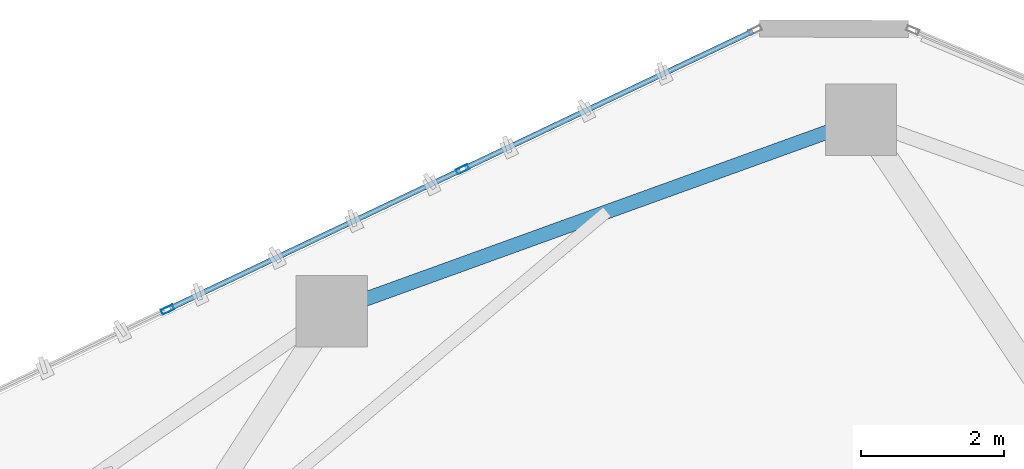
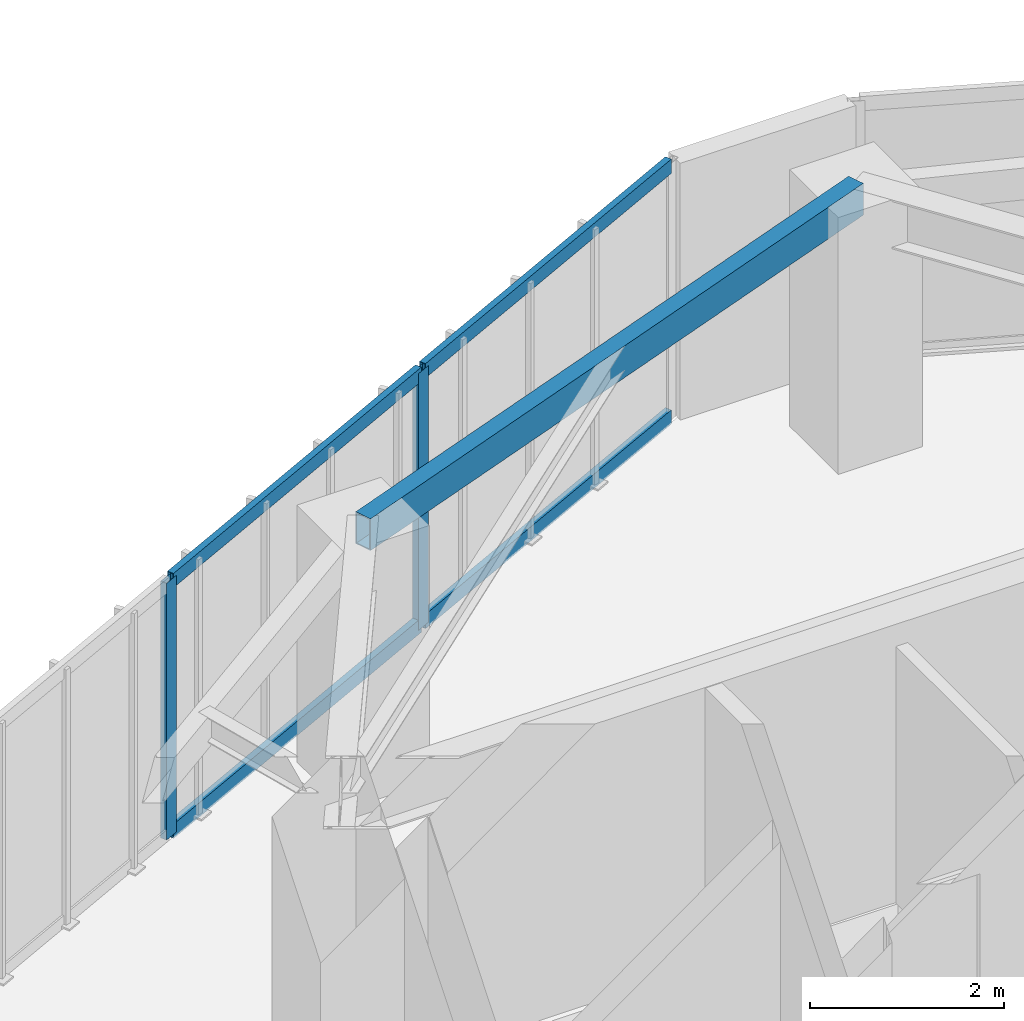
# One storey, part 12 of 18: 6 members, 1 beam, 1 element without a shape of its own.
"""IFC4 building model written with IfcOpenShell, lengths in metres."""

from ifc_helpers import new_model, si_unit, direction, frame, origin, origin_2d, place, context, subcontext, project, spatial, hollow_rectangle, extrude, source, transform, mapped, material, layer, layer_set, material_profile, profile_set, type_object, type_shapes, element, aggregate, save


model = new_model("IFC4")

# Units and contexts
model_context = context("Model", 3, precision=1e-05, world=origin(), true_north=direction((0.0, 1.0)))
body_context = subcontext(model_context, "Body", "Model", "MODEL_VIEW")
ifc_project = project(units=[si_unit("LENGTHUNIT", "METRE"), si_unit("AREAUNIT", "SQUARE_METRE"), si_unit("VOLUMEUNIT", "CUBIC_METRE"), si_unit("PLANEANGLEUNIT", "RADIAN"), si_unit("MASSUNIT", "GRAM", prefix="KILO")], contexts=[model_context])

# Site, building, storey
site_placement = place(None, origin())
site = spatial("IfcSite", under=ifc_project, at=site_placement, CompositionType="ELEMENT")
building_placement = place(site_placement, origin())
building = spatial("IfcBuilding", under=site, at=building_placement, Name="Talar Marvaseh", CompositionType="ELEMENT")
storey_placement = place(building_placement, frame((0.0, 0.0, 167.0)))
storey = spatial("IfcBuildingStorey", under=building, at=storey_placement, Name="L43", CompositionType="ELEMENT", Elevation=167.0)

# Beam
ifc_material_1 = material(Name="Steel S355", Category="steel")
ifc_material_profile_1 = material_profile(ifc_material_1, hollow_rectangle(XDim=0.199951171875, YDim=0.39990234375, WallThickness=0.013916015625, at=origin_2d()), Name="RHS400x200x14")
ifc_profile_set_1 = profile_set([ifc_material_profile_1], Name="Steel S355")
beam_type = type_object("IfcBeamType", Name="Zone 3 Perimeter Spandrel Beam RHS400x200x14", PredefinedType="SPANDREL", material=ifc_profile_set_1)
beam_placement = place(storey_placement, frame((21.35205078125, 40.986083984375, 3.030029296875), z_axis=(0.940368006783, 0.340158803824, 0.0), x_axis=(-0.340158803824, 0.940368006783, 0.0)))
element("IfcBeam", 1, at=beam_placement, inside=storey, type_object=beam_type, Name="L43 Zone 3 Perimeter Spandrel Beam RHS400x200x14", PredefinedType="SPANDREL", context=body_context, shape_type="SweptSolid", body=[
    extrude(hollow_rectangle(XDim=0.199951171875, YDim=0.39990234375, WallThickness=0.013916015625, at=origin_2d()), origin(), (0.0, 0.0, 1.0), 7.88427734375),
])

# Curtain wall, members
ifc_material_2 = material(Name="Architectural Aluminium", Category="aluminium")
ifc_layer = layer(ifc_material_2, 0.18994140625)
ifc_layer_set = layer_set([ifc_layer], Name="Architectural Aluminium")
curtain_wall_type = type_object("IfcCurtainWallType", Name="Unitised Solar Atelier Curtain Wall Z3", PredefinedType="NOTDEFINED", material=ifc_layer_set)
curtain_wall_placement = place(storey_placement, origin())
curtain_wall = element("IfcCurtainWall", 2, at=curtain_wall_placement, inside=storey, type_object=curtain_wall_type, Name="L43 Unitised Solar Atelier Curtain Wall Z3", PredefinedType="NOTDEFINED")
ifc_material_profile_2 = material_profile(ifc_material_2, hollow_rectangle(XDim=0.074951171875, YDim=0.179931640625, WallThickness=0.0048828125, at=origin_2d()), Name="RHS180x75x5")
ifc_profile_set_2 = profile_set([ifc_material_profile_2], Name="Architectural Aluminium")
member_type_1 = type_object("IfcMemberType", Name="Unitised Curtain Wall Standard Mullion RHS180x75x5", PredefinedType="MULLION", material=ifc_profile_set_2)
shared_shape_1 = source(origin(), body_context, "Body", "SweptSolid", [
    extrude(hollow_rectangle(XDim=0.074951171875, YDim=0.179931640625, WallThickness=0.0048828125, at=origin_2d()), origin(), (0.0, 0.0, 1.0), 3.22998046875),
])
type_shapes(member_type_1, [shared_shape_1])
member_1_placement = place(storey_placement, frame((19.05078125, 41.01025390625, 0.0), z_axis=(0.0, 0.0, 1.0), x_axis=(-0.429444477717, 0.903093262381, 0.0)))
member_1 = element("IfcMember", 3, at=member_1_placement, type_object=member_type_1, Name="CW-Z3 mullion 2", PredefinedType="MULLION", context=body_context, shape_type="MappedRepresentation", body=[
    mapped(shared_shape_1, transform((0.0, 0.0, 0.0), x_axis=(1.0, 0.0, 0.0), y_axis=(0.0, 1.0, 0.0), z_axis=(0.0, 0.0, 1.0), scale=1.0)),
])
member_2_placement = place(storey_placement, frame((23.184326171875, 42.97607421875, 0.0), z_axis=(0.0, 0.0, 1.0), x_axis=(-0.429444477717, 0.903093262381, 0.0)))
member_2 = element("IfcMember", 4, at=member_2_placement, type_object=member_type_1, Name="CW-Z3 mullion 3", PredefinedType="MULLION", context=body_context, shape_type="MappedRepresentation", body=[
    mapped(shared_shape_1, transform((0.0, 0.0, 0.0), x_axis=(1.0, 0.0, 0.0), y_axis=(0.0, 1.0, 0.0), z_axis=(0.0, 0.0, 1.0), scale=1.0)),
])
ifc_material_profile_3 = material_profile(ifc_material_2, hollow_rectangle(XDim=0.074951171875, YDim=0.179931640625, WallThickness=0.0048828125, at=origin_2d()), Name="RHS180x75x5")
ifc_profile_set_3 = profile_set([ifc_material_profile_3], Name="Architectural Aluminium")
member_type_2 = type_object("IfcMemberType", Name="Unitised Curtain Wall Transom RHS180x75x5", PredefinedType="USERDEFINED", material=ifc_profile_set_3)
shared_shape_2 = source(origin(), body_context, "Body", "SweptSolid", [
    extrude(hollow_rectangle(XDim=0.074951171875, YDim=0.179931640625, WallThickness=0.0048828125, at=origin_2d()), origin(), (0.0, 0.0, 1.0), 4.464599609375),
])
member_3_placement = place(storey_placement, frame((23.21826171875, 42.9921875, 0.03759765625), z_axis=(0.903099935366, 0.429430444592, 0.0), x_axis=(-0.429430444592, 0.903099935366, 0.0)))
member_3 = element("IfcMember", 5, at=member_3_placement, type_object=member_type_2, Name="CW-Z3 transom 3.1", ObjectType="TRANSOM", PredefinedType="USERDEFINED", context=body_context, shape_type="MappedRepresentation", body=[
    mapped(shared_shape_2, transform((0.0, 0.0, 0.0), x_axis=(1.0, 0.0, 0.0), y_axis=(0.0, 1.0, 0.0), z_axis=(0.0, 0.0, 1.0), scale=1.0)),
])
member_4_placement = place(storey_placement, frame((23.21826171875, 42.9921875, 3.1923828125), z_axis=(0.903099935366, 0.429430444592, 0.0), x_axis=(-0.429430444592, 0.903099935366, 0.0)))
member_4 = element("IfcMember", 6, at=member_4_placement, type_object=member_type_2, Name="CW-Z3 transom 3.2", ObjectType="TRANSOM", PredefinedType="USERDEFINED", context=body_context, shape_type="MappedRepresentation", body=[
    mapped(shared_shape_2, transform((0.0, 0.0, 0.0), x_axis=(1.0, 0.0, 0.0), y_axis=(0.0, 1.0, 0.0), z_axis=(0.0, 0.0, 1.0), scale=1.0)),
])
shared_shape_3 = source(origin(), body_context, "Body", "SweptSolid", [
    extrude(hollow_rectangle(XDim=0.074951171875, YDim=0.179931640625, WallThickness=0.0048828125, at=origin_2d()), origin(), (0.0, 0.0, 1.0), 4.502197265625),
])
type_shapes(member_type_2, [shared_shape_2, shared_shape_3])
member_5_placement = place(storey_placement, frame((19.08447265625, 41.0263671875, 0.03759765625), z_axis=(0.903080912723, 0.429470447266, 0.0), x_axis=(-0.429470447266, 0.903080912723, 0.0)))
member_5 = element("IfcMember", 7, at=member_5_placement, type_object=member_type_2, Name="CW-Z3 transom 2.1", ObjectType="TRANSOM", PredefinedType="USERDEFINED", context=body_context, shape_type="MappedRepresentation", body=[
    mapped(shared_shape_3, transform((0.0, 0.0, 0.0), x_axis=(1.0, 0.0, 0.0), y_axis=(0.0, 1.0, 0.0), z_axis=(0.0, 0.0, 1.0), scale=1.0)),
])
member_6_placement = place(storey_placement, frame((19.08447265625, 41.0263671875, 3.1923828125), z_axis=(0.903080912723, 0.429470447266, 0.0), x_axis=(-0.429470447266, 0.903080912723, 0.0)))
member_6 = element("IfcMember", 8, at=member_6_placement, type_object=member_type_2, Name="CW-Z3 transom 2.2", ObjectType="TRANSOM", PredefinedType="USERDEFINED", context=body_context, shape_type="MappedRepresentation", body=[
    mapped(shared_shape_3, transform((0.0, 0.0, 0.0), x_axis=(1.0, 0.0, 0.0), y_axis=(0.0, 1.0, 0.0), z_axis=(0.0, 0.0, 1.0), scale=1.0)),
])
aggregate(curtain_wall, [member_1, member_2, member_5, member_6, member_3, member_4])

save(model, "model.ifc")
